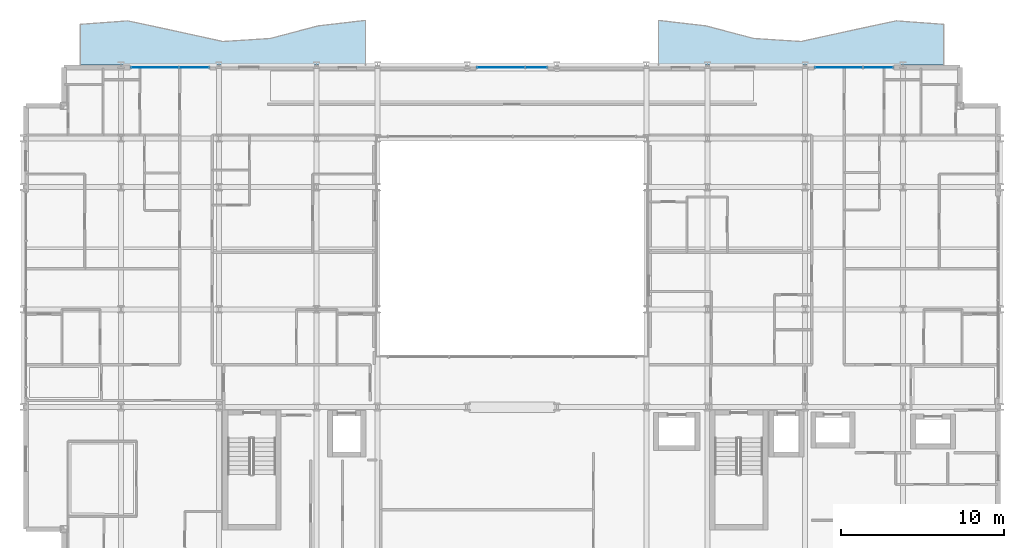
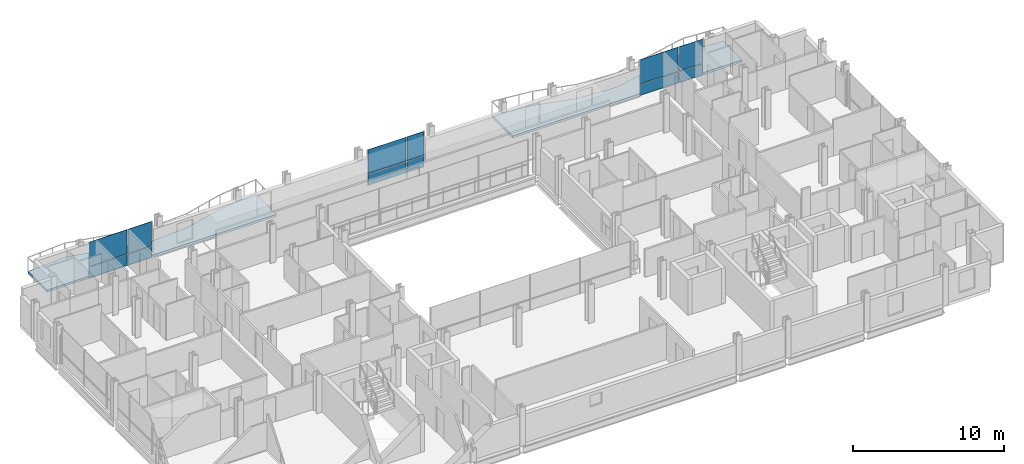
# One storey, part 29 of 41: 12 plates, 2 slabs, 3 elements without a shape of their own.
"""IFC4 building model written with IfcOpenShell, lengths in metres."""

from ifc_helpers import new_model, si_unit, direction, frame, origin, origin_2d, place, context, subcontext, project, spatial, polyline, rectangle, outline, extrude, material, layer, layer_set, type_object, element, aggregate, save


model = new_model("IFC4")

# Units and contexts
model_context = context("Model", 3, precision=1e-05, world=origin(), true_north=direction((0.0, 1.0)))
body_context = subcontext(model_context, "Body", "Model", "MODEL_VIEW")
ifc_project = project(units=[si_unit("LENGTHUNIT", "METRE"), si_unit("AREAUNIT", "SQUARE_METRE"), si_unit("VOLUMEUNIT", "CUBIC_METRE"), si_unit("PLANEANGLEUNIT", "RADIAN"), si_unit("MASSUNIT", "GRAM", prefix="KILO")], contexts=[model_context])

# Site, building, storey
site_placement = place(None, origin())
site = spatial("IfcSite", under=ifc_project, at=site_placement, CompositionType="ELEMENT")
building_placement = place(site_placement, origin())
building = spatial("IfcBuilding", under=site, at=building_placement, Name="Brevholm Reach", CompositionType="ELEMENT")
storey_placement = place(building_placement, frame((0.0, 0.0, 49.699951171875)))
storey = spatial("IfcBuildingStorey", under=building, at=storey_placement, Name="L13", CompositionType="ELEMENT", Elevation=49.699951171875)

# Curtain wall, plates
ifc_material_1 = material(Name="Dark Anodised Aluminium 6063-T6 and Solar-Control Glass", Category="aluminium")
ifc_layer_1 = layer(ifc_material_1, 0.14990234375)
ifc_layer_set_1 = layer_set([ifc_layer_1], Name="Dark Anodised Aluminium 6063-T6 and Solar-Control Glass")
curtain_wall_type = type_object("IfcCurtainWallType", Name="CW-01", PredefinedType="NOTDEFINED", material=ifc_layer_set_1)
curtain_wall_1_placement = place(storey_placement, origin())
curtain_wall_1 = element("IfcCurtainWall", 1, at=curtain_wall_1_placement, inside=storey, type_object=curtain_wall_type, Name="L13 Curtain Wall CW-01", PredefinedType="NOTDEFINED")
ifc_material_2 = material(Name="Dark Solar-Control Double-Glazed IGU Glass", Category="glass")
ifc_layer_2 = layer(ifc_material_2, 0.028076171875)
ifc_layer_set_2 = layer_set([ifc_layer_2], Name="Dark Solar-Control Double-Glazed IGU Glass")
plate_type = type_object("IfcPlateType", Name="CWP-GLZ-28", PredefinedType="CURTAIN_PANEL", material=ifc_layer_set_2)
plate_1_placement = place(storey_placement, frame((8.066162109375, 30.85009765625, 0.0), z_axis=(0.0, 0.0, 1.0), x_axis=(1.0, 0.0, 0.0)))
plate_1 = element("IfcPlate", 2, at=plate_1_placement, type_object=plate_type, Name="CP-01 Glazing Panel 1.1", PredefinedType="CURTAIN_PANEL", context=body_context, shape_type="SweptSolid", body=[
    extrude(rectangle(XDim=2.902587890625, YDim=0.028076171875, at=origin_2d()), origin(), (0.0, 0.0, 1.0), 0.867431640625),
])
plate_2_placement = place(storey_placement, frame((8.066162109375, 30.85009765625, 0.9326171875), z_axis=(0.0, 0.0, 1.0), x_axis=(1.0, 0.0, 0.0)))
plate_2 = element("IfcPlate", 3, at=plate_2_placement, type_object=plate_type, Name="CP-01 Glazing Panel 1.2", PredefinedType="CURTAIN_PANEL", context=body_context, shape_type="SweptSolid", body=[
    extrude(rectangle(XDim=2.902587890625, YDim=0.028076171875, at=origin_2d()), origin(), (0.0, 0.0, 1.0), 1.9375),
])
plate_3_placement = place(storey_placement, frame((10.483642578125, 30.85009765625, 0.0), z_axis=(0.0, 0.0, 1.0), x_axis=(1.0, 0.0, 0.0)))
plate_3 = element("IfcPlate", 4, at=plate_3_placement, type_object=plate_type, Name="CP-01 Glazing Panel 2.1", PredefinedType="CURTAIN_PANEL", context=body_context, shape_type="SweptSolid", body=[
    extrude(rectangle(XDim=1.802490234375, YDim=0.028076171875, at=origin_2d()), origin(), (0.0, 0.0, 1.0), 0.867431640625),
])
plate_4_placement = place(storey_placement, frame((10.483642578125, 30.85009765625, 0.9326171875), z_axis=(0.0, 0.0, 1.0), x_axis=(1.0, 0.0, 0.0)))
plate_4 = element("IfcPlate", 5, at=plate_4_placement, type_object=plate_type, Name="CP-01 Glazing Panel 2.2", PredefinedType="CURTAIN_PANEL", context=body_context, shape_type="SweptSolid", body=[
    extrude(rectangle(XDim=1.802490234375, YDim=0.028076171875, at=origin_2d()), origin(), (0.0, 0.0, 1.0), 1.9375),
])
aggregate(curtain_wall_1, [plate_1, plate_2, plate_3, plate_4])

curtain_wall_2_placement = place(storey_placement, origin())
curtain_wall_2 = element("IfcCurtainWall", 6, at=curtain_wall_2_placement, inside=storey, type_object=curtain_wall_type, Name="L13 Curtain Wall CW-01", PredefinedType="NOTDEFINED")
plate_5_placement = place(storey_placement, frame((29.316162109375, 30.85009765625, 0.0), z_axis=(0.0, 0.0, 1.0), x_axis=(1.0, 0.0, 0.0)))
plate_5 = element("IfcPlate", 7, at=plate_5_placement, type_object=plate_type, Name="CP-01 Glazing Panel 1.1", PredefinedType="CURTAIN_PANEL", context=body_context, shape_type="SweptSolid", body=[
    extrude(rectangle(XDim=2.902587890625, YDim=0.028076171875, at=origin_2d()), origin(), (0.0, 0.0, 1.0), 0.867431640625),
])
plate_6_placement = place(storey_placement, frame((29.316162109375, 30.85009765625, 0.9326171875), z_axis=(0.0, 0.0, 1.0), x_axis=(1.0, 0.0, 0.0)))
plate_6 = element("IfcPlate", 8, at=plate_6_placement, type_object=plate_type, Name="CP-01 Glazing Panel 1.2", PredefinedType="CURTAIN_PANEL", context=body_context, shape_type="SweptSolid", body=[
    extrude(rectangle(XDim=2.902587890625, YDim=0.028076171875, at=origin_2d()), origin(), (0.0, 0.0, 1.0), 1.9375),
])
plate_7_placement = place(storey_placement, frame((31.483642578125, 30.85009765625, 0.0), z_axis=(0.0, 0.0, 1.0), x_axis=(1.0, 0.0, 0.0)))
plate_7 = element("IfcPlate", 9, at=plate_7_placement, type_object=plate_type, Name="CP-01 Glazing Panel 2.1", PredefinedType="CURTAIN_PANEL", context=body_context, shape_type="SweptSolid", body=[
    extrude(rectangle(XDim=1.302490234375, YDim=0.028076171875, at=origin_2d()), origin(), (0.0, 0.0, 1.0), 0.867431640625),
])
plate_8_placement = place(storey_placement, frame((31.483642578125, 30.85009765625, 0.9326171875), z_axis=(0.0, 0.0, 1.0), x_axis=(1.0, 0.0, 0.0)))
plate_8 = element("IfcPlate", 10, at=plate_8_placement, type_object=plate_type, Name="CP-01 Glazing Panel 2.2", PredefinedType="CURTAIN_PANEL", context=body_context, shape_type="SweptSolid", body=[
    extrude(rectangle(XDim=1.302490234375, YDim=0.028076171875, at=origin_2d()), origin(), (0.0, 0.0, 1.0), 1.9375),
])
aggregate(curtain_wall_2, [plate_5, plate_6, plate_7, plate_8])

curtain_wall_3_placement = place(storey_placement, origin())
curtain_wall_3 = element("IfcCurtainWall", 11, at=curtain_wall_3_placement, inside=storey, type_object=curtain_wall_type, Name="L13 Curtain Wall CW-01", PredefinedType="NOTDEFINED")
plate_9_placement = place(storey_placement, frame((50.066162109375, 30.85009765625, 0.0), z_axis=(0.0, 0.0, 1.0), x_axis=(1.0, 0.0, 0.0)))
plate_9 = element("IfcPlate", 12, at=plate_9_placement, type_object=plate_type, Name="CP-01 Glazing Panel 1.1", PredefinedType="CURTAIN_PANEL", context=body_context, shape_type="SweptSolid", body=[
    extrude(rectangle(XDim=2.902587890625, YDim=0.028076171875, at=origin_2d()), origin(), (0.0, 0.0, 1.0), 0.867431640625),
])
plate_10_placement = place(storey_placement, frame((50.066162109375, 30.85009765625, 0.9326171875), z_axis=(0.0, 0.0, 1.0), x_axis=(1.0, 0.0, 0.0)))
plate_10 = element("IfcPlate", 13, at=plate_10_placement, type_object=plate_type, Name="CP-01 Glazing Panel 1.2", PredefinedType="CURTAIN_PANEL", context=body_context, shape_type="SweptSolid", body=[
    extrude(rectangle(XDim=2.902587890625, YDim=0.028076171875, at=origin_2d()), origin(), (0.0, 0.0, 1.0), 1.9375),
])
plate_11_placement = place(storey_placement, frame((52.483642578125, 30.85009765625, 0.0), z_axis=(0.0, 0.0, 1.0), x_axis=(1.0, 0.0, 0.0)))
plate_11 = element("IfcPlate", 14, at=plate_11_placement, type_object=plate_type, Name="CP-01 Glazing Panel 2.1", PredefinedType="CURTAIN_PANEL", context=body_context, shape_type="SweptSolid", body=[
    extrude(rectangle(XDim=1.802490234375, YDim=0.028076171875, at=origin_2d()), origin(), (0.0, 0.0, 1.0), 0.867431640625),
])
plate_12_placement = place(storey_placement, frame((52.483642578125, 30.85009765625, 0.9326171875), z_axis=(0.0, 0.0, 1.0), x_axis=(1.0, 0.0, 0.0)))
plate_12 = element("IfcPlate", 15, at=plate_12_placement, type_object=plate_type, Name="CP-01 Glazing Panel 2.2", PredefinedType="CURTAIN_PANEL", context=body_context, shape_type="SweptSolid", body=[
    extrude(rectangle(XDim=1.802490234375, YDim=0.028076171875, at=origin_2d()), origin(), (0.0, 0.0, 1.0), 1.9375),
])
aggregate(curtain_wall_3, [plate_9, plate_10, plate_11, plate_12])

# Slabs
ifc_material_3 = material(Name="Precast Concrete C40/50", Category="concrete")
ifc_layer_3 = layer(ifc_material_3, 0.179931640625)
ifc_layer_set_3 = layer_set([ifc_layer_3], Name="Precast Concrete C40/50")
slab_type = type_object("IfcSlabType", Name="SLB-BAL-180", PredefinedType="FLOOR", material=ifc_layer_set_3)
slab_1_placement = place(storey_placement, frame((0.0, 0.0, -0.179931640625)))
element("IfcSlab", 16, at=slab_1_placement, inside=storey, type_object=slab_type, Name="L13 Rippling External Balcony NE", PredefinedType="FLOOR", context=body_context, shape_type="SweptSolid", body=[
    extrude(outline(polyline([(39.0, 31.0), (56.5, 31.0), (56.5, 33.499755859375), (53.583251953125, 33.713134765625), (50.666748046875, 33.0869140625), (47.75, 32.44482421875), (44.833251953125, 32.632080078125), (41.916748046875, 33.402099609375), (39.0, 33.74169921875), (39.0, 31.0)])), origin(), (0.0, 0.0, 1.0), 0.179931640625),
])
slab_2_placement = place(storey_placement, frame((0.0, 0.0, -0.179931640625)))
element("IfcSlab", 17, at=slab_2_placement, inside=storey, type_object=slab_type, Name="L13 Rippling External Balcony NW", PredefinedType="FLOOR", context=body_context, shape_type="SweptSolid", body=[
    extrude(outline(polyline([(3.5, 31.0), (21.0, 31.0), (21.0, 33.74169921875), (18.083251953125, 33.402099609375), (15.166748046875, 32.632080078125), (12.25, 32.44482421875), (9.333251953125, 33.0869140625), (6.416748046875, 33.713134765625), (3.5, 33.499755859375), (3.5, 31.0)])), origin(), (0.0, 0.0, 1.0), 0.179931640625),
])

save(model, "model.ifc")
